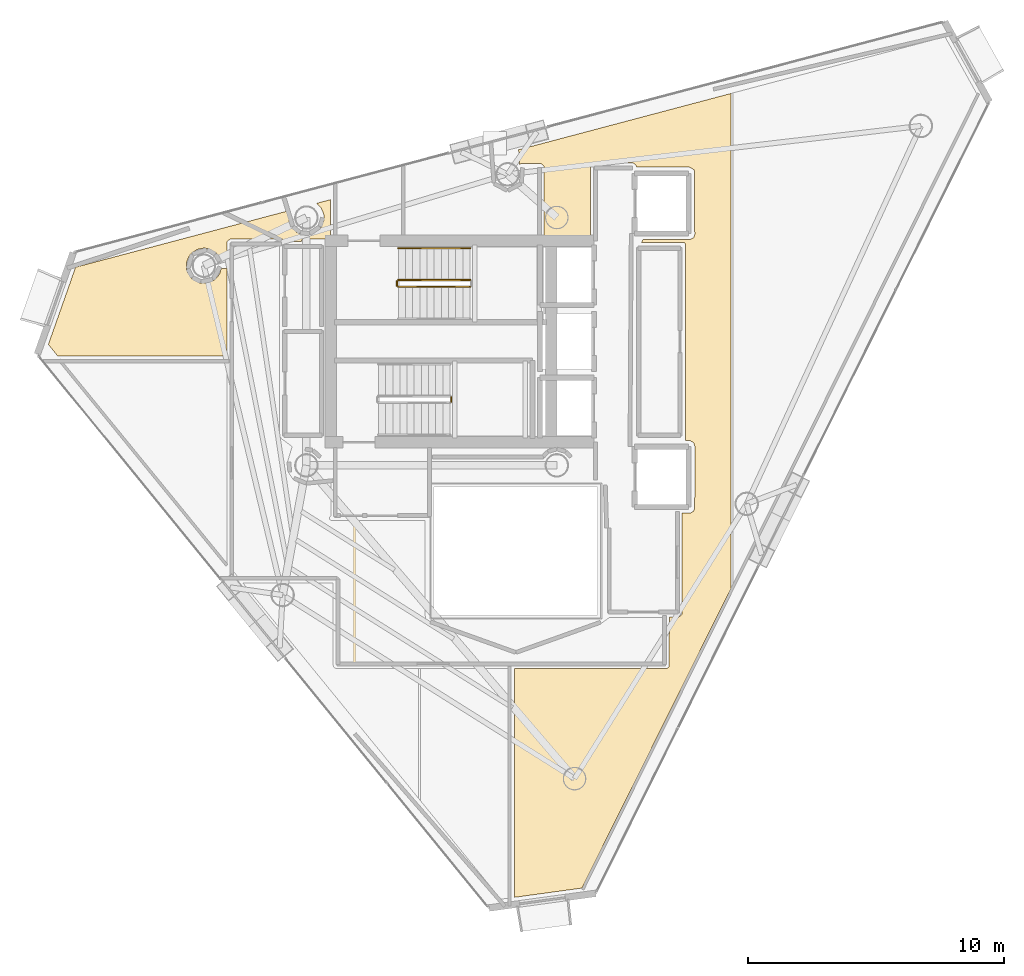
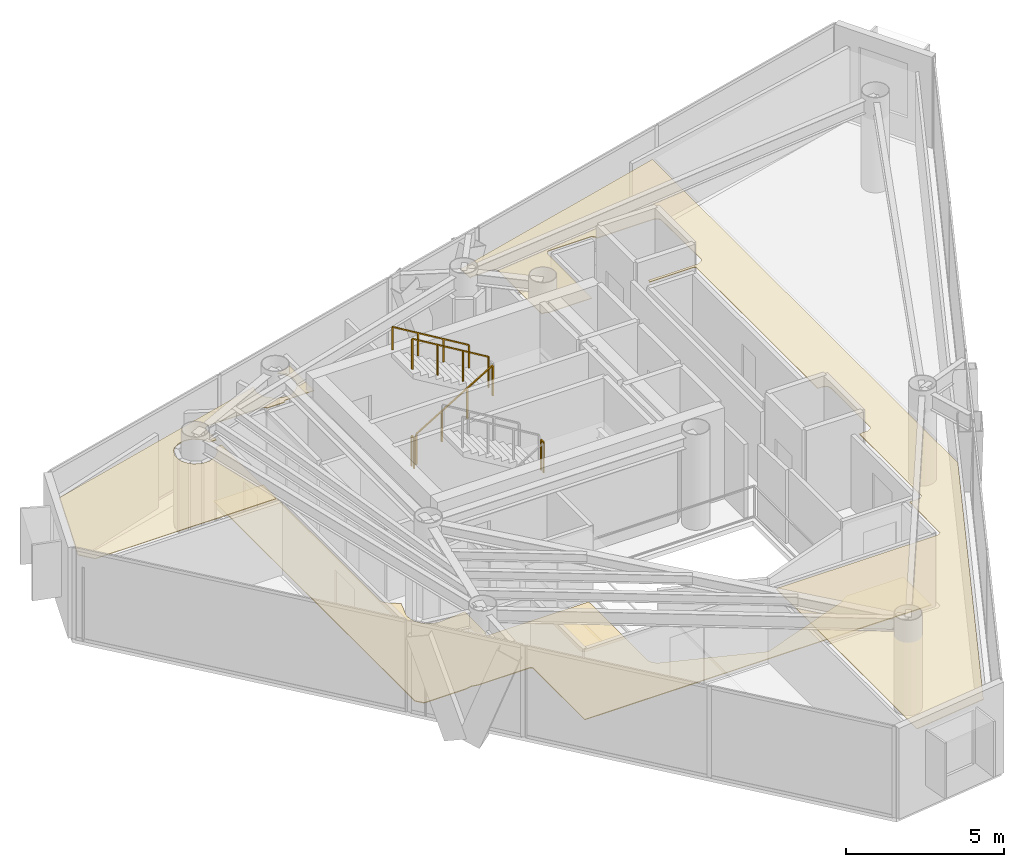
# One storey, part 22 of 23: 5 railings, 3 coverings.
"""IFC4 building model written with IfcOpenShell, lengths in metres."""

from ifc_helpers import new_model, si_unit, direction, frame, origin, origin_2d, place, context, subcontext, project, spatial, polyline, rectangle, outline, extrude, material, layer, layer_set, type_object, element, save


model = new_model("IFC4")

# Units and contexts
model_context = context("Model", 3, precision=1e-05, world=origin(), true_north=direction((0.0, 1.0)))
body_context = subcontext(model_context, "Body", "Model", "MODEL_VIEW")
ifc_project = project(units=[si_unit("LENGTHUNIT", "METRE"), si_unit("AREAUNIT", "SQUARE_METRE"), si_unit("VOLUMEUNIT", "CUBIC_METRE"), si_unit("PLANEANGLEUNIT", "RADIAN"), si_unit("MASSUNIT", "GRAM", prefix="KILO")], contexts=[model_context])

# Site, building, storey
site_placement = place(None, origin())
site = spatial("IfcSite", under=ifc_project, at=site_placement, CompositionType="ELEMENT")
building_placement = place(site_placement, origin())
building = spatial("IfcBuilding", under=site, at=building_placement, Name="Qianvela Tower", CompositionType="ELEMENT")
storey_placement = place(building_placement, frame((0.0, 0.0, 313.89990234375)))
storey = spatial("IfcBuildingStorey", under=building, at=storey_placement, Name="L81", CompositionType="ELEMENT", Elevation=313.89990234375)

# Coverings
ifc_material_1 = material(Name="Perforated Mineral Acoustic Ceiling Tile")
ifc_layer_1 = layer(ifc_material_1, 0.02490234375)
ifc_layer_set_1 = layer_set([ifc_layer_1], Name="Perforated Mineral Acoustic Ceiling Tile")
covering_type_1 = type_object("IfcCoveringType", Name="COV-CEIL-ACOUSTIC-25", PredefinedType="CEILING", material=ifc_layer_set_1)
covering_1_placement = place(storey_placement, frame((0.0, 0.0, 2.815185546875)))
element("IfcCovering", 1, at=covering_1_placement, inside=storey, type_object=covering_type_1, Name="L81 Acoustic Ceiling Bay 1 Graduate Seminar Classroom L81-03", PredefinedType="CEILING", context=body_context, shape_type="SweptSolid", body=[
    extrude(outline(polyline([(36.9072265625, 36.201904296875), (45.215087890625, 38.404296875), (45.215087890625, 19.026611328125), (39.38427734375, 7.304931640625), (36.7451171875, 6.94287109375), (36.7451171875, 15.889892578125), (42.64990234375, 15.889892578125), (42.65869140625, 15.890380859375), (42.66748046875, 15.891845703125), (42.676025390625, 15.894287109375), (42.68408203125, 15.897705078125), (42.74609375, 15.927001953125), (42.753173828125, 15.930908203125), (42.760009765625, 15.935302734375), (42.76611328125, 15.940673828125), (42.77197265625, 15.9462890625), (42.777099609375, 15.952880859375), (42.781494140625, 15.959716796875), (42.784912109375, 15.967041015625), (42.787841796875, 15.974609375), (42.7900390625, 15.982421875), (42.79150390625, 15.990478515625), (42.791748046875, 15.99853515625), (42.806640625, 17.920166015625), (43.157958984375, 17.92041015625), (43.165771484375, 17.9208984375), (43.173583984375, 17.921875), (43.18115234375, 17.923828125), (43.1884765625, 17.926513671875), (43.195556640625, 17.9296875), (43.202392578125, 17.933837890625), (43.20849609375, 17.938720703125), (43.21435546875, 17.94384765625), (43.2861328125, 18.015625), (43.29150390625, 18.021484375), (43.296142578125, 18.027587890625), (43.30029296875, 18.034423828125), (43.303466796875, 18.04150390625), (43.30615234375, 18.048828125), (43.30810546875, 18.056640625), (43.30908203125, 18.064208984375), (43.3095703125, 18.072265625), (43.309326171875, 21.981201171875), (43.621826171875, 21.986083984375), (43.62939453125, 21.986572265625), (43.63720703125, 21.98779296875), (43.64453125, 21.98974609375), (43.651611328125, 21.9921875), (43.658447265625, 21.99560546875), (43.6650390625, 21.99951171875), (43.732666015625, 22.044677734375), (43.739013671875, 22.04931640625), (43.744873046875, 22.0546875), (43.75, 22.060302734375), (43.754638671875, 22.066650390625), (43.7587890625, 22.073486328125), (43.76220703125, 22.08056640625), (43.793212890625, 22.15576171875), (43.7958984375, 22.1630859375), (43.7978515625, 22.170654296875), (43.798828125, 22.178466796875), (43.79931640625, 22.186279296875), (43.800048828125, 24.60009765625), (43.7998046875, 24.606689453125), (43.798828125, 24.61376953125), (43.79736328125, 24.620361328125), (43.79541015625, 24.626953125), (43.763427734375, 24.7158203125), (43.76025390625, 24.723388671875), (43.75634765625, 24.73095703125), (43.75146484375, 24.73779296875), (43.74609375, 24.744140625), (43.73974609375, 24.75), (43.733154296875, 24.7548828125), (43.725830078125, 24.759521484375), (43.63134765625, 24.809814453125), (43.624267578125, 24.813232421875), (43.616943359375, 24.81591796875), (43.609375, 24.81787109375), (43.6015625, 24.81884765625), (43.59375, 24.8193359375), (43.423828125, 24.8193359375), (43.423828125, 24.8193359375), (43.426513671875, 24.826904296875), (43.428466796875, 24.83447265625), (43.4296875, 24.84228515625), (43.429931640625, 24.85009765625), (43.429931640625, 32.5), (43.4296875, 32.5078125), (43.428466796875, 32.515625), (43.426513671875, 32.523193359375), (43.423828125, 32.530517578125), (43.420654296875, 32.53759765625), (43.41650390625, 32.54443359375), (43.411865234375, 32.55078125), (43.406494140625, 32.556640625), (43.40087890625, 32.561767578125), (43.394287109375, 32.56640625), (43.3876953125, 32.570556640625), (43.380615234375, 32.573974609375), (43.373291015625, 32.57666015625), (43.365478515625, 32.57861328125), (43.35791015625, 32.57958984375), (43.35009765625, 32.580078125), (41.72265625, 32.580078125), (41.774169921875, 32.679931640625), (43.580078125, 32.679931640625), (43.587890625, 32.680419921875), (43.595703125, 32.681396484375), (43.603271484375, 32.683349609375), (43.610595703125, 32.68603515625), (43.61767578125, 32.689453125), (43.734130859375, 32.751708984375), (43.740966796875, 32.755615234375), (43.747314453125, 32.760498046875), (43.7529296875, 32.765625), (43.75830078125, 32.771484375), (43.762939453125, 32.77783203125), (43.76708984375, 32.784423828125), (43.770263671875, 32.79150390625), (43.77294921875, 32.799072265625), (43.796630859375, 32.876708984375), (43.798583984375, 32.884521484375), (43.799560546875, 32.892578125), (43.800048828125, 32.900390625), (43.783447265625, 35.366455078125), (43.782958984375, 35.374755859375), (43.78173828125, 35.3828125), (43.779541015625, 35.390625), (43.776611328125, 35.398193359375), (43.77294921875, 35.40576171875), (43.7685546875, 35.41259765625), (43.763427734375, 35.4189453125), (43.7578125, 35.4248046875), (43.75146484375, 35.429931640625), (43.74462890625, 35.4345703125), (43.62109375, 35.508544921875), (43.61474609375, 35.511962890625), (43.608154296875, 35.514892578125), (43.601318359375, 35.51708984375), (43.59423828125, 35.518798828125), (43.587158203125, 35.519775390625), (43.580078125, 35.52001953125), (41.515625, 35.52001953125), (41.513916015625, 35.554931640625), (41.512939453125, 35.562744140625), (41.511474609375, 35.5703125), (41.509033203125, 35.577880859375), (41.506103515625, 35.585205078125), (41.50244140625, 35.591796875), (41.498046875, 35.598388671875), (41.4931640625, 35.6044921875), (41.487548828125, 35.60986328125), (41.481689453125, 35.614990234375), (41.41552734375, 35.663818359375), (41.409423828125, 35.66796875), (41.40283203125, 35.67138671875), (41.396240234375, 35.67431640625), (41.38916015625, 35.6767578125), (41.382080078125, 35.67822265625), (41.374755859375, 35.67919921875), (41.367431640625, 35.6796875), (39.841796875, 35.670654296875), (39.83349609375, 35.670166015625), (39.825439453125, 35.668701171875), (39.817626953125, 35.666748046875), (39.81005859375, 35.663818359375), (39.802490234375, 35.659912109375), (39.795654296875, 35.655517578125), (39.789306640625, 35.650390625), (39.783447265625, 35.644775390625), (39.7783203125, 35.638427734375), (39.773681640625, 35.631591796875), (39.7314453125, 35.56103515625), (39.727294921875, 35.553466796875), (39.72412109375, 35.54541015625), (39.721923828125, 35.537109375), (39.720458984375, 35.528564453125), (39.719970703125, 35.52001953125), (39.719970703125, 32.719970703125), (38.129150390625, 32.719970703125), (38.068115234375, 32.756103515625), (38.060791015625, 32.760009765625), (38.052978515625, 32.76318359375), (38.044921875, 32.765380859375), (38.03662109375, 32.766845703125), (38.0283203125, 32.767333984375), (37.9072265625, 32.768798828125), (37.906494140625, 35.523193359375), (37.90625, 35.531005859375), (37.905029296875, 35.538818359375), (37.903076171875, 35.54638671875), (37.900390625, 35.5537109375), (37.897216796875, 35.560791015625), (37.89306640625, 35.567626953125), (37.888427734375, 35.573974609375), (37.883056640625, 35.579833984375), (37.877197265625, 35.585205078125), (37.80859375, 35.6416015625), (37.80224609375, 35.64599609375), (37.795654296875, 35.650146484375), (37.78857421875, 35.653564453125), (37.781005859375, 35.65625), (37.7734375, 35.658203125), (37.765625, 35.6591796875), (37.7578125, 35.65966796875), (37.01904296875, 35.65966796875), (37.010986328125, 35.6591796875), (37.003173828125, 35.657958984375), (36.995361328125, 35.656005859375), (36.98779296875, 35.6533203125), (36.980712890625, 35.64990234375), (36.973876953125, 35.645751953125), (36.9384765625, 35.62158203125), (36.9072265625, 36.201904296875)])), origin(), (0.0, 0.0, 1.0), 0.02490234375),
])
covering_2_placement = place(storey_placement, frame((0.0, 0.0, 2.815185546875)))
element("IfcCovering", 2, at=covering_2_placement, inside=storey, type_object=covering_type_1, Name="L81 Acoustic Ceiling Floor Dining Kitchen L81-04", PredefinedType="CEILING", context=body_context, shape_type="SweptSolid", body=[
    extrude(outline(polyline([(29.002685546875, 34.106689453125), (29.5400390625, 34.2490234375), (29.5400390625, 32.699951171875), (28.47998046875, 32.699951171875), (28.47216796875, 32.69970703125), (28.464111328125, 32.698486328125), (28.45654296875, 32.696533203125), (28.44921875, 32.69384765625), (28.44189453125, 32.690185546875), (28.43505859375, 32.686279296875), (28.4287109375, 32.681396484375), (28.4228515625, 32.676025390625), (28.417724609375, 32.670166015625), (28.4130859375, 32.663818359375), (28.408935546875, 32.656982421875), (28.40576171875, 32.649658203125), (28.403076171875, 32.64208984375), (28.4013671875, 32.634521484375), (28.400390625, 32.62646484375), (28.39892578125, 32.609619140625), (27.7626953125, 32.607666015625), (27.759521484375, 32.6201171875), (27.757080078125, 32.62744140625), (27.754150390625, 32.634765625), (27.75048828125, 32.6416015625), (27.74609375, 32.648193359375), (27.7412109375, 32.654296875), (27.735595703125, 32.659912109375), (27.7294921875, 32.6650390625), (27.722900390625, 32.66943359375), (27.716064453125, 32.673095703125), (27.654296875, 32.702392578125), (27.647705078125, 32.705078125), (27.64111328125, 32.707275390625), (27.634033203125, 32.708740234375), (27.627197265625, 32.709716796875), (27.6201171875, 32.7099609375), (25.64990234375, 32.7099609375), (25.642578125, 32.709716796875), (25.635498046875, 32.708740234375), (25.62841796875, 32.70703125), (25.62158203125, 32.70458984375), (25.61474609375, 32.701904296875), (25.6083984375, 32.6982421875), (25.602294921875, 32.6943359375), (25.52587890625, 32.637451171875), (25.519287109375, 32.632080078125), (25.513671875, 32.626220703125), (25.50830078125, 32.619873046875), (25.50390625, 32.61279296875), (25.500244140625, 32.60546875), (25.497314453125, 32.59765625), (25.4951171875, 32.589599609375), (25.493896484375, 32.58154296875), (25.493408203125, 32.5732421875), (25.493408203125, 31.894775390625), (25.22802734375, 31.89404296875), (25.16748046875, 32.03369140625), (25.164306640625, 32.040283203125), (25.160400390625, 32.046630859375), (25.156005859375, 32.052490234375), (25.080078125, 32.14501953125), (25.074951171875, 32.15087890625), (25.069091796875, 32.15625), (25.062744140625, 32.160888671875), (24.864990234375, 32.293212890625), (24.858154296875, 32.297119140625), (24.85107421875, 32.300537109375), (24.84375, 32.302978515625), (24.729248046875, 32.337890625), (24.7216796875, 32.339599609375), (24.7138671875, 32.3408203125), (24.5947265625, 32.3525390625), (24.5869140625, 32.35302734375), (24.5791015625, 32.3525390625), (24.5712890625, 32.3515625), (24.337890625, 32.304931640625), (24.330322265625, 32.302978515625), (24.322998046875, 32.300537109375), (24.31591796875, 32.297119140625), (24.30908203125, 32.293212890625), (24.111083984375, 32.160888671875), (24.10498046875, 32.15625), (24.09912109375, 32.15087890625), (24.09375, 32.14501953125), (24.01806640625, 32.052490234375), (24.01318359375, 32.04638671875), (24.00927734375, 32.03955078125), (24.005859375, 32.032470703125), (23.914794921875, 31.8125), (23.912109375, 31.80517578125), (23.910400390625, 31.797607421875), (23.9091796875, 31.789794921875), (23.90869140625, 31.781982421875), (23.90869140625, 31.5439453125), (23.9091796875, 31.5361328125), (23.910400390625, 31.5283203125), (23.912109375, 31.520751953125), (23.947021484375, 31.40625), (23.949462890625, 31.39892578125), (23.952880859375, 31.391845703125), (23.956787109375, 31.385009765625), (24.089111328125, 31.187255859375), (24.09375, 31.180908203125), (24.09912109375, 31.175048828125), (24.10498046875, 31.169921875), (24.197509765625, 31.093994140625), (24.20361328125, 31.08935546875), (24.21044921875, 31.085205078125), (24.217529296875, 31.081787109375), (24.4375, 30.99072265625), (24.44482421875, 30.98828125), (24.452392578125, 30.986328125), (24.460205078125, 30.985107421875), (24.468017578125, 30.984619140625), (24.7060546875, 30.984619140625), (24.7138671875, 30.985107421875), (24.7216796875, 30.986328125), (24.729248046875, 30.98828125), (24.736572265625, 30.99072265625), (24.95654296875, 31.081787109375), (24.963623046875, 31.085205078125), (24.97021484375, 31.08935546875), (24.9765625, 31.093994140625), (24.982421875, 31.09912109375), (25.15087890625, 31.267578125), (25.156005859375, 31.2734375), (25.16064453125, 31.27978515625), (25.164794921875, 31.286376953125), (25.22119140625, 31.391845703125), (25.224365234375, 31.398681640625), (25.226806640625, 31.405517578125), (25.228759765625, 31.412841796875), (25.2587890625, 31.55419921875), (25.4931640625, 31.5546875), (25.4921875, 28.122314453125), (18.875, 28.122314453125), (18.500244140625, 28.581787109375), (19.56591796875, 31.60498046875), (27.973876953125, 33.833740234375), (27.969482421875, 33.8271484375), (27.965576171875, 33.820556640625), (27.96240234375, 33.813720703125), (27.959716796875, 33.806396484375), (27.9580078125, 33.799072265625), (27.91162109375, 33.565673828125), (27.910400390625, 33.557861328125), (27.909912109375, 33.550048828125), (27.910400390625, 33.542236328125), (27.922119140625, 33.423095703125), (27.92333984375, 33.415283203125), (27.92529296875, 33.40771484375), (27.927734375, 33.400390625), (28.018798828125, 33.180419921875), (28.022216796875, 33.17333984375), (28.0263671875, 33.166748046875), (28.031005859375, 33.160400390625), (28.0361328125, 33.154541015625), (28.20458984375, 32.986083984375), (28.21044921875, 32.98095703125), (28.216796875, 32.976318359375), (28.223388671875, 32.97216796875), (28.328857421875, 32.916015625), (28.3359375, 32.91259765625), (28.34326171875, 32.909912109375), (28.35107421875, 32.907958984375), (28.58447265625, 32.861572265625), (28.59228515625, 32.8603515625), (28.60009765625, 32.860107421875), (28.60791015625, 32.8603515625), (28.726806640625, 32.8720703125), (28.734619140625, 32.873291015625), (28.7421875, 32.875244140625), (28.74951171875, 32.877685546875), (28.969482421875, 32.968994140625), (28.9765625, 32.97216796875), (28.9833984375, 32.976318359375), (28.989501953125, 32.98095703125), (28.99560546875, 32.986083984375), (29.163818359375, 33.154541015625), (29.1689453125, 33.160400390625), (29.173583984375, 33.166748046875), (29.177734375, 33.17333984375), (29.18115234375, 33.180419921875), (29.272216796875, 33.400390625), (29.27490234375, 33.40771484375), (29.276611328125, 33.415283203125), (29.27783203125, 33.423095703125), (29.28955078125, 33.542236328125), (29.2900390625, 33.550048828125), (29.28955078125, 33.557861328125), (29.27783203125, 33.6767578125), (29.276611328125, 33.6845703125), (29.27490234375, 33.692138671875), (29.272216796875, 33.69970703125), (29.18115234375, 33.91943359375), (29.177734375, 33.926513671875), (29.173583984375, 33.933349609375), (29.1689453125, 33.939697265625), (29.163818359375, 33.945556640625), (29.002685546875, 34.106689453125)])), origin(), (0.0, 0.0, 1.0), 0.02490234375),
])
ifc_material_2 = material(Name="Honed Stone Terrazzo Flooring", Category="masonry")
ifc_layer_2 = layer(ifc_material_2, 0.030029296875)
ifc_layer_set_2 = layer_set([ifc_layer_2], Name="Honed Stone Terrazzo Flooring")
covering_type_2 = type_object("IfcCoveringType", Name="COV-FLOOR-TERRAZZO-30", PredefinedType="FLOORING", material=ifc_layer_set_2)
covering_3_placement = place(storey_placement, origin())
element("IfcCovering", 3, at=covering_3_placement, inside=storey, type_object=covering_type_2, Name="L81 Finish Flooring L81 Floor Corridor", PredefinedType="FLOORING", context=body_context, shape_type="SweptSolid", body=[
    extrude(outline(polyline([(25.72998046875, 32.469970703125), (27.5400390625, 32.469970703125), (27.5400390625, 25.04638671875), (27.540283203125, 25.038818359375), (27.54150390625, 25.03125), (27.543212890625, 25.023681640625), (27.545654296875, 25.0166015625), (27.548828125, 25.009765625), (27.552734375, 25.003173828125), (27.61328125, 24.90869140625), (27.61767578125, 24.90283203125), (27.622314453125, 24.8974609375), (27.62744140625, 24.892333984375), (27.633056640625, 24.8876953125), (28.042236328125, 24.584228515625), (27.8662109375, 24.00390625), (27.864501953125, 23.996337890625), (27.86328125, 23.988525390625), (27.850341796875, 23.85791015625), (27.85009765625, 23.85009765625), (27.850341796875, 23.84228515625), (27.8515625, 23.83447265625), (27.902587890625, 23.577880859375), (27.904296875, 23.5703125), (27.906982421875, 23.56298828125), (27.910400390625, 23.555908203125), (27.91455078125, 23.54931640625), (28.059814453125, 23.331787109375), (28.064453125, 23.325439453125), (28.069580078125, 23.319580078125), (28.075439453125, 23.314453125), (28.081787109375, 23.309814453125), (28.29931640625, 23.16455078125), (28.305908203125, 23.160400390625), (28.31298828125, 23.156982421875), (28.3203125, 23.154296875), (28.327880859375, 23.152587890625), (28.58447265625, 23.1015625), (28.59228515625, 23.100341796875), (28.60009765625, 23.10009765625), (28.60791015625, 23.100341796875), (29.55810546875, 23.194091796875), (29.55810546875, 21.877685546875), (29.52001953125, 21.82958984375), (29.515380859375, 21.822998046875), (29.51171875, 21.81640625), (29.508544921875, 21.809326171875), (29.506103515625, 21.802001953125), (29.504150390625, 21.794189453125), (29.503173828125, 21.78662109375), (29.5029296875, 21.77880859375), (29.50341796875, 21.77099609375), (29.504638671875, 21.763427734375), (29.506591796875, 21.755859375), (29.50927734375, 21.74853515625), (29.5126953125, 21.74169921875), (29.516845703125, 21.735107421875), (29.521484375, 21.728759765625), (29.52685546875, 21.722900390625), (29.53271484375, 21.7177734375), (29.538818359375, 21.713134765625), (29.54541015625, 21.709228515625), (29.552490234375, 21.7060546875), (29.559814453125, 21.703369140625), (29.5673828125, 21.701416015625), (29.5751953125, 21.700439453125), (29.5830078125, 21.699951171875), (33.239990234375, 21.699951171875), (33.239990234375, 18.0), (33.240478515625, 17.990234375), (33.242431640625, 17.980712890625), (33.275390625, 17.8486328125), (33.277587890625, 17.841796875), (33.2802734375, 17.8349609375), (33.283447265625, 17.82861328125), (33.287353515625, 17.822509765625), (33.29150390625, 17.81689453125), (33.29638671875, 17.811279296875), (33.411376953125, 17.696533203125), (33.41796875, 17.690673828125), (33.42529296875, 17.685546875), (33.432861328125, 17.68115234375), (33.44091796875, 17.677734375), (36.77294921875, 16.482666015625), (36.780517578125, 16.48046875), (36.7880859375, 16.47900390625), (36.7958984375, 16.47802734375), (36.803955078125, 16.47802734375), (36.811767578125, 16.47900390625), (36.8193359375, 16.48046875), (36.826904296875, 16.482666015625), (40.134033203125, 17.666015625), (40.140869140625, 17.668701171875), (40.1474609375, 17.672119140625), (40.153564453125, 17.676025390625), (40.458740234375, 17.89306640625), (42.570068359375, 17.899658203125), (42.570068359375, 16.1298828125), (29.8798828125, 16.1298828125), (29.8798828125, 19.39990234375), (29.879638671875, 19.40771484375), (29.87841796875, 19.41552734375), (29.876708984375, 19.423095703125), (29.873779296875, 19.4306640625), (29.87060546875, 19.437744140625), (29.866455078125, 19.4443359375), (29.86181640625, 19.45068359375), (29.856689453125, 19.45654296875), (29.850830078125, 19.4619140625), (29.844482421875, 19.466552734375), (29.837646484375, 19.470703125), (29.83056640625, 19.473876953125), (29.8232421875, 19.4765625), (29.815673828125, 19.478515625), (29.807861328125, 19.4794921875), (29.800048828125, 19.47998046875), (27.910888671875, 19.47998046875), (27.684814453125, 19.522705078125), (27.677490234375, 19.523681640625), (27.669921875, 19.52392578125), (27.66259765625, 19.523681640625), (27.6552734375, 19.522705078125), (27.42919921875, 19.47998046875), (25.92333984375, 19.47998046875), (25.72998046875, 19.71728515625), (25.72998046875, 32.469970703125)])), origin(), (0.0, 0.0, 1.0), 0.030029296875),
])

# Railings
ifc_material_3 = material(Name="Painted Tubular Steel Q355B", Category="steel")
railing_type_1 = type_object("IfcRailingType", Name="RL-STAIR-GUARD-1200", PredefinedType="GUARDRAIL", material=ifc_material_3)
railing_1_placement = place(storey_placement, frame((32.199951171875, 30.840087890625, 0.168212890625)))
element("IfcRailing", 4, at=railing_1_placement, inside=storey, type_object=railing_type_1, Name="L81 ST-1 stair guard 1", PredefinedType="GUARDRAIL", context=body_context, shape_type="SweptSolid", body=[
    extrude(rectangle(XDim=0.050048828125, YDim=0.0400390625, at=origin_2d()), frame((0.0, 0.0, 1.179931640625), z_axis=(0.857242210791, 0.0, 0.514913383045), x_axis=(0.0, 1.0, 0.0)), (0.0, 0.0, 1.0), 3.266357421875),
    extrude(rectangle(XDim=0.050048828125, YDim=0.050048828125, at=origin_2d()), origin(), (0.0, 0.0, 1.0), 1.159912109375),
    extrude(rectangle(XDim=0.050048828125, YDim=0.050048828125, at=origin_2d()), frame((0.933349609375, 0.0, 0.560546875)), (0.0, 0.0, 1.0), 1.159912109375),
    extrude(rectangle(XDim=0.050048828125, YDim=0.050048828125, at=origin_2d()), frame((1.86669921875, 0.0, 1.121337890625)), (0.0, 0.0, 1.0), 1.159912109375),
    extrude(rectangle(XDim=0.050048828125, YDim=0.050048828125, at=origin_2d()), frame((2.800048828125, 0.0, 1.681884765625)), (0.0, 0.0, 1.0), 1.159912109375),
])
railing_2_placement = place(storey_placement, frame((35.0, 31.10009765625, 2.018310546875)))
element("IfcRailing", 5, at=railing_2_placement, inside=storey, type_object=railing_type_1, Name="L81 ST-1 stair guard 3", PredefinedType="GUARDRAIL", context=body_context, shape_type="SweptSolid", body=[
    extrude(rectangle(XDim=0.050048828125, YDim=0.0400390625, at=origin_2d()), frame((0.0, 0.0, 1.179931640625), z_axis=(-0.857242210791, 0.0, 0.514913383045), x_axis=(0.0, -1.0, 0.0)), (0.0, 0.0, 1.0), 3.266357421875),
    extrude(rectangle(XDim=0.050048828125, YDim=0.050048828125, at=origin_2d()), origin(), (0.0, 0.0, 1.0), 1.159912109375),
    extrude(rectangle(XDim=0.050048828125, YDim=0.050048828125, at=origin_2d()), frame((-0.933349609375, 0.0, 0.560546875)), (0.0, 0.0, 1.0), 1.159912109375),
    extrude(rectangle(XDim=0.050048828125, YDim=0.050048828125, at=origin_2d()), frame((-1.86669921875, 0.0, 1.121337890625)), (0.0, 0.0, 1.0), 1.159912109375),
    extrude(rectangle(XDim=0.050048828125, YDim=0.050048828125, at=origin_2d()), frame((-2.800048828125, 0.0, 1.681884765625)), (0.0, 0.0, 1.0), 1.159912109375),
])
railing_3_placement = place(storey_placement, frame((32.14990234375, 30.889892578125, 0.0)))
element("IfcRailing", 6, at=railing_3_placement, inside=storey, type_object=railing_type_1, Name="L81 ST-1 stair guard 4", PredefinedType="GUARDRAIL", context=body_context, shape_type="SweptSolid", body=[
    extrude(rectangle(XDim=0.050048828125, YDim=0.0400390625, at=origin_2d()), frame((0.0, 0.0, 1.179931640625), z_axis=(0.0, 1.0, 0.0), x_axis=(-1.0, 0.0, 0.0)), (0.0, 0.0, 1.0), 0.16015625),
    extrude(rectangle(XDim=0.050048828125, YDim=0.050048828125, at=origin_2d()), origin(), (0.0, 0.0, 1.0), 1.159912109375),
    extrude(rectangle(XDim=0.050048828125, YDim=0.050048828125, at=origin_2d()), frame((0.0, 0.16015625, 0.0)), (0.0, 0.0, 1.0), 1.159912109375),
])
railing_4_placement = place(storey_placement, frame((34.27001953125, 26.35009765625, 1.85009765625)))
element("IfcRailing", 7, at=railing_4_placement, inside=storey, type_object=railing_type_1, Name="L81 ST-2 stair guard 2", PredefinedType="GUARDRAIL", context=body_context, shape_type="SweptSolid", body=[
    extrude(rectangle(XDim=0.050048828125, YDim=0.0400390625, at=origin_2d()), frame((0.0, 0.0, 1.179931640625), z_axis=(0.0, 1.0, 0.0), x_axis=(-1.0, 0.0, 0.0)), (0.0, 0.0, 1.0), 0.159912109375),
    extrude(rectangle(XDim=0.050048828125, YDim=0.050048828125, at=origin_2d()), origin(), (0.0, 0.0, 1.0), 1.159912109375),
    extrude(rectangle(XDim=0.050048828125, YDim=0.050048828125, at=origin_2d()), frame((0.0, 0.159912109375, 0.0)), (0.0, 0.0, 1.0), 1.159912109375),
])
ifc_material_4 = material(Name="Brushed Stainless Steel 304", Category="steel")
railing_type_2 = type_object("IfcRailingType", Name="RL-STAIR-HANDRAIL-900", PredefinedType="HANDRAIL", material=ifc_material_4)
railing_5_placement = place(storey_placement, frame((35.0, 32.35009765625, 2.018310546875)))
element("IfcRailing", 8, at=railing_5_placement, inside=storey, type_object=railing_type_2, Name="L81 ST-1 stair handrail 2", PredefinedType="HANDRAIL", context=body_context, shape_type="SweptSolid", body=[
    extrude(rectangle(XDim=0.050048828125, YDim=0.0400390625, at=origin_2d()), frame((0.0, 0.0, 0.8798828125), z_axis=(-0.857242210791, 0.0, 0.514913383045), x_axis=(0.0, -1.0, 0.0)), (0.0, 0.0, 1.0), 3.266357421875),
    extrude(rectangle(XDim=0.050048828125, YDim=0.050048828125, at=origin_2d()), origin(), (0.0, 0.0, 1.0), 0.85986328125),
    extrude(rectangle(XDim=0.050048828125, YDim=0.050048828125, at=origin_2d()), frame((-0.933349609375, 0.0, 0.560546875)), (0.0, 0.0, 1.0), 0.85986328125),
    extrude(rectangle(XDim=0.050048828125, YDim=0.050048828125, at=origin_2d()), frame((-1.86669921875, 0.0, 1.121337890625)), (0.0, 0.0, 1.0), 0.85986328125),
    extrude(rectangle(XDim=0.050048828125, YDim=0.050048828125, at=origin_2d()), frame((-2.800048828125, 0.0, 1.681884765625)), (0.0, 0.0, 1.0), 0.85986328125),
])

save(model, "model.ifc")
